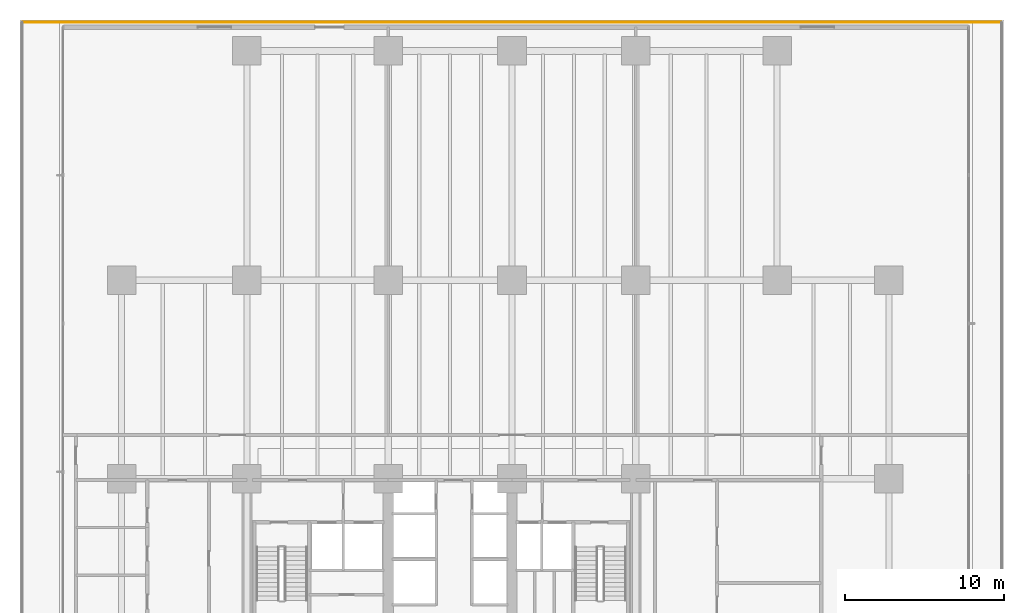
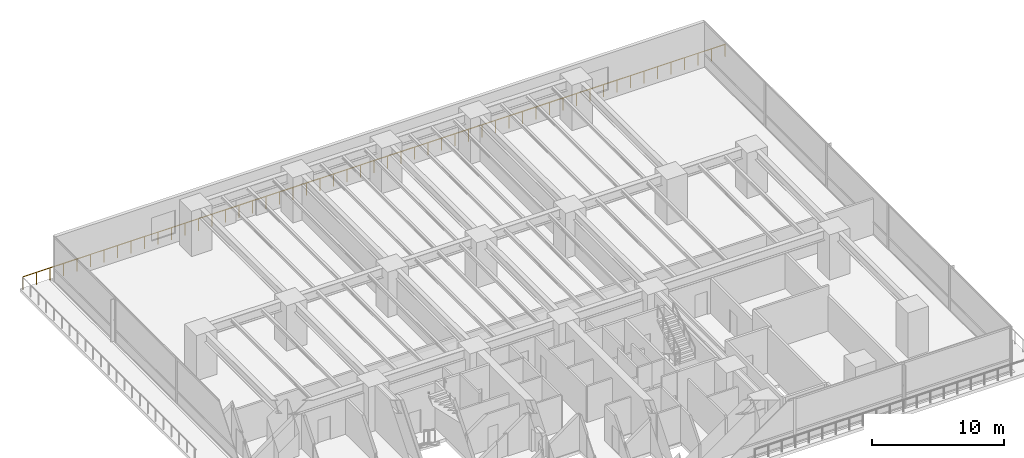
# One storey, part 21 of 21: 1 railing.
"""IFC4 building model written with IfcOpenShell, lengths in metres."""

from ifc_helpers import new_model, si_unit, direction, frame, origin, origin_2d, place, context, subcontext, project, spatial, circle, extrude, material, type_object, element, save


model = new_model("IFC4")

# Units and contexts
model_context = context("Model", 3, precision=1e-05, world=origin(), true_north=direction((0.0, 1.0)))
body_context = subcontext(model_context, "Body", "Model", "MODEL_VIEW")
ifc_project = project(units=[si_unit("LENGTHUNIT", "METRE"), si_unit("AREAUNIT", "SQUARE_METRE"), si_unit("VOLUMEUNIT", "CUBIC_METRE"), si_unit("PLANEANGLEUNIT", "RADIAN"), si_unit("MASSUNIT", "GRAM", prefix="KILO")], contexts=[model_context])

# Site, building, storey
site_placement = place(None, origin())
site = spatial("IfcSite", under=ifc_project, at=site_placement, CompositionType="ELEMENT")
building_placement = place(site_placement, origin())
building = spatial("IfcBuilding", under=site, at=building_placement, Name="Qalmaran Belvedere Hotel", CompositionType="ELEMENT")
storey_placement = place(building_placement, frame((0.0, 0.0, 23.800048828125)))
storey = spatial("IfcBuildingStorey", under=building, at=storey_placement, Name="L05", CompositionType="ELEMENT", Elevation=23.800048828125)

# Railing
ifc_material = material(Name="Anodised Bronze Aluminium", Category="aluminium")
railing_type = type_object("IfcRailingType", Name="GRD-TERR-1150", PredefinedType="BALUSTRADE", material=ifc_material)
railing_placement = place(storey_placement, frame((67.824951171875, 49.260009765625, 0.0)))
element("IfcRailing", 1, at=railing_placement, inside=storey, type_object=railing_type, Name="L05 Guardrail L05-TERR-3", PredefinedType="BALUSTRADE", context=body_context, shape_type="SweptSolid", body=[
    extrude(circle(Radius=0.02392578125, at=origin_2d()), frame((0.0, 0.0, 1.1259765625), z_axis=(-1.0, 0.0, 0.0), x_axis=(0.0, -1.0, 0.0)), (0.0, 0.0, 1.0), 61.64990234375),
    extrude(circle(Radius=0.02099609375, at=origin_2d()), origin(), (0.0, 0.0, 1.0), 1.101806640625),
    extrude(circle(Radius=0.02099609375, at=origin_2d()), frame((-1.185546875, 0.0, 0.0)), (0.0, 0.0, 1.0), 1.101806640625),
    extrude(circle(Radius=0.02099609375, at=origin_2d()), frame((-2.37109375, 0.0, 0.0)), (0.0, 0.0, 1.0), 1.101806640625),
    extrude(circle(Radius=0.02099609375, at=origin_2d()), frame((-3.556640625, 0.0, 0.0)), (0.0, 0.0, 1.0), 1.101806640625),
    extrude(circle(Radius=0.02099609375, at=origin_2d()), frame((-4.7421875, 0.0, 0.0)), (0.0, 0.0, 1.0), 1.101806640625),
    extrude(circle(Radius=0.02099609375, at=origin_2d()), frame((-5.927978515625, 0.0, 0.0)), (0.0, 0.0, 1.0), 1.101806640625),
    extrude(circle(Radius=0.02099609375, at=origin_2d()), frame((-7.113525390625, 0.0, 0.0)), (0.0, 0.0, 1.0), 1.101806640625),
    extrude(circle(Radius=0.02099609375, at=origin_2d()), frame((-8.299072265625, 0.0, 0.0)), (0.0, 0.0, 1.0), 1.101806640625),
    extrude(circle(Radius=0.02099609375, at=origin_2d()), frame((-9.484619140625, 0.0, 0.0)), (0.0, 0.0, 1.0), 1.101806640625),
    extrude(circle(Radius=0.02099609375, at=origin_2d()), frame((-10.670166015625, 0.0, 0.0)), (0.0, 0.0, 1.0), 1.101806640625),
    extrude(circle(Radius=0.02099609375, at=origin_2d()), frame((-11.855712890625, 0.0, 0.0)), (0.0, 0.0, 1.0), 1.101806640625),
    extrude(circle(Radius=0.02099609375, at=origin_2d()), frame((-13.041259765625, 0.0, 0.0)), (0.0, 0.0, 1.0), 1.101806640625),
    extrude(circle(Radius=0.02099609375, at=origin_2d()), frame((-14.226806640625, 0.0, 0.0)), (0.0, 0.0, 1.0), 1.101806640625),
    extrude(circle(Radius=0.02099609375, at=origin_2d()), frame((-15.41259765625, 0.0, 0.0)), (0.0, 0.0, 1.0), 1.101806640625),
    extrude(circle(Radius=0.02099609375, at=origin_2d()), frame((-16.59814453125, 0.0, 0.0)), (0.0, 0.0, 1.0), 1.101806640625),
    extrude(circle(Radius=0.02099609375, at=origin_2d()), frame((-17.78369140625, 0.0, 0.0)), (0.0, 0.0, 1.0), 1.101806640625),
    extrude(circle(Radius=0.02099609375, at=origin_2d()), frame((-18.96923828125, 0.0, 0.0)), (0.0, 0.0, 1.0), 1.101806640625),
    extrude(circle(Radius=0.02099609375, at=origin_2d()), frame((-20.15478515625, 0.0, 0.0)), (0.0, 0.0, 1.0), 1.101806640625),
    extrude(circle(Radius=0.02099609375, at=origin_2d()), frame((-21.34033203125, 0.0, 0.0)), (0.0, 0.0, 1.0), 1.101806640625),
    extrude(circle(Radius=0.02099609375, at=origin_2d()), frame((-22.52587890625, 0.0, 0.0)), (0.0, 0.0, 1.0), 1.101806640625),
    extrude(circle(Radius=0.02099609375, at=origin_2d()), frame((-23.71142578125, 0.0, 0.0)), (0.0, 0.0, 1.0), 1.101806640625),
    extrude(circle(Radius=0.02099609375, at=origin_2d()), frame((-24.89697265625, 0.0, 0.0)), (0.0, 0.0, 1.0), 1.101806640625),
    extrude(circle(Radius=0.02099609375, at=origin_2d()), frame((-26.082763671875, 0.0, 0.0)), (0.0, 0.0, 1.0), 1.101806640625),
    extrude(circle(Radius=0.02099609375, at=origin_2d()), frame((-27.268310546875, 0.0, 0.0)), (0.0, 0.0, 1.0), 1.101806640625),
    extrude(circle(Radius=0.02099609375, at=origin_2d()), frame((-28.453857421875, 0.0, 0.0)), (0.0, 0.0, 1.0), 1.101806640625),
    extrude(circle(Radius=0.02099609375, at=origin_2d()), frame((-29.639404296875, 0.0, 0.0)), (0.0, 0.0, 1.0), 1.101806640625),
    extrude(circle(Radius=0.02099609375, at=origin_2d()), frame((-30.824951171875, 0.0, 0.0)), (0.0, 0.0, 1.0), 1.101806640625),
    extrude(circle(Radius=0.02099609375, at=origin_2d()), frame((-32.010498046875, 0.0, 0.0)), (0.0, 0.0, 1.0), 1.101806640625),
    extrude(circle(Radius=0.02099609375, at=origin_2d()), frame((-33.196044921875, 0.0, 0.0)), (0.0, 0.0, 1.0), 1.101806640625),
    extrude(circle(Radius=0.02099609375, at=origin_2d()), frame((-34.381591796875, 0.0, 0.0)), (0.0, 0.0, 1.0), 1.101806640625),
    extrude(circle(Radius=0.02099609375, at=origin_2d()), frame((-35.567138671875, 0.0, 0.0)), (0.0, 0.0, 1.0), 1.101806640625),
    extrude(circle(Radius=0.02099609375, at=origin_2d()), frame((-36.7529296875, 0.0, 0.0)), (0.0, 0.0, 1.0), 1.101806640625),
    extrude(circle(Radius=0.02099609375, at=origin_2d()), frame((-37.9384765625, 0.0, 0.0)), (0.0, 0.0, 1.0), 1.101806640625),
    extrude(circle(Radius=0.02099609375, at=origin_2d()), frame((-39.1240234375, 0.0, 0.0)), (0.0, 0.0, 1.0), 1.101806640625),
    extrude(circle(Radius=0.02099609375, at=origin_2d()), frame((-40.3095703125, 0.0, 0.0)), (0.0, 0.0, 1.0), 1.101806640625),
    extrude(circle(Radius=0.02099609375, at=origin_2d()), frame((-41.4951171875, 0.0, 0.0)), (0.0, 0.0, 1.0), 1.101806640625),
    extrude(circle(Radius=0.02099609375, at=origin_2d()), frame((-42.6806640625, 0.0, 0.0)), (0.0, 0.0, 1.0), 1.101806640625),
    extrude(circle(Radius=0.02099609375, at=origin_2d()), frame((-43.8662109375, 0.0, 0.0)), (0.0, 0.0, 1.0), 1.101806640625),
    extrude(circle(Radius=0.02099609375, at=origin_2d()), frame((-45.0517578125, 0.0, 0.0)), (0.0, 0.0, 1.0), 1.101806640625),
    extrude(circle(Radius=0.02099609375, at=origin_2d()), frame((-46.2373046875, 0.0, 0.0)), (0.0, 0.0, 1.0), 1.101806640625),
    extrude(circle(Radius=0.02099609375, at=origin_2d()), frame((-47.423095703125, 0.0, 0.0)), (0.0, 0.0, 1.0), 1.101806640625),
    extrude(circle(Radius=0.02099609375, at=origin_2d()), frame((-48.608642578125, 0.0, 0.0)), (0.0, 0.0, 1.0), 1.101806640625),
    extrude(circle(Radius=0.02099609375, at=origin_2d()), frame((-49.794189453125, 0.0, 0.0)), (0.0, 0.0, 1.0), 1.101806640625),
    extrude(circle(Radius=0.02099609375, at=origin_2d()), frame((-50.979736328125, 0.0, 0.0)), (0.0, 0.0, 1.0), 1.101806640625),
    extrude(circle(Radius=0.02099609375, at=origin_2d()), frame((-52.165283203125, 0.0, 0.0)), (0.0, 0.0, 1.0), 1.101806640625),
    extrude(circle(Radius=0.02099609375, at=origin_2d()), frame((-53.350830078125, 0.0, 0.0)), (0.0, 0.0, 1.0), 1.101806640625),
    extrude(circle(Radius=0.02099609375, at=origin_2d()), frame((-54.536376953125, 0.0, 0.0)), (0.0, 0.0, 1.0), 1.101806640625),
    extrude(circle(Radius=0.02099609375, at=origin_2d()), frame((-55.721923828125, 0.0, 0.0)), (0.0, 0.0, 1.0), 1.101806640625),
    extrude(circle(Radius=0.02099609375, at=origin_2d()), frame((-56.90771484375, 0.0, 0.0)), (0.0, 0.0, 1.0), 1.101806640625),
    extrude(circle(Radius=0.02099609375, at=origin_2d()), frame((-58.09326171875, 0.0, 0.0)), (0.0, 0.0, 1.0), 1.101806640625),
    extrude(circle(Radius=0.02099609375, at=origin_2d()), frame((-59.27880859375, 0.0, 0.0)), (0.0, 0.0, 1.0), 1.101806640625),
    extrude(circle(Radius=0.02099609375, at=origin_2d()), frame((-60.46435546875, 0.0, 0.0)), (0.0, 0.0, 1.0), 1.101806640625),
    extrude(circle(Radius=0.02099609375, at=origin_2d()), frame((-61.64990234375, 0.0, 0.0)), (0.0, 0.0, 1.0), 1.101806640625),
])

save(model, "model.ifc")
